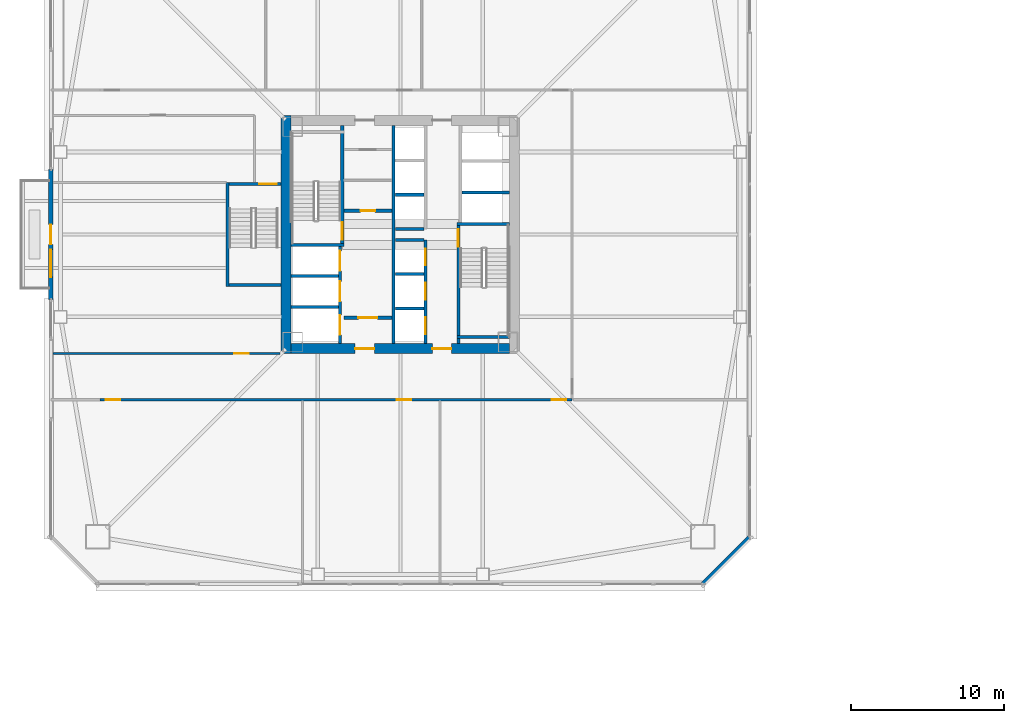
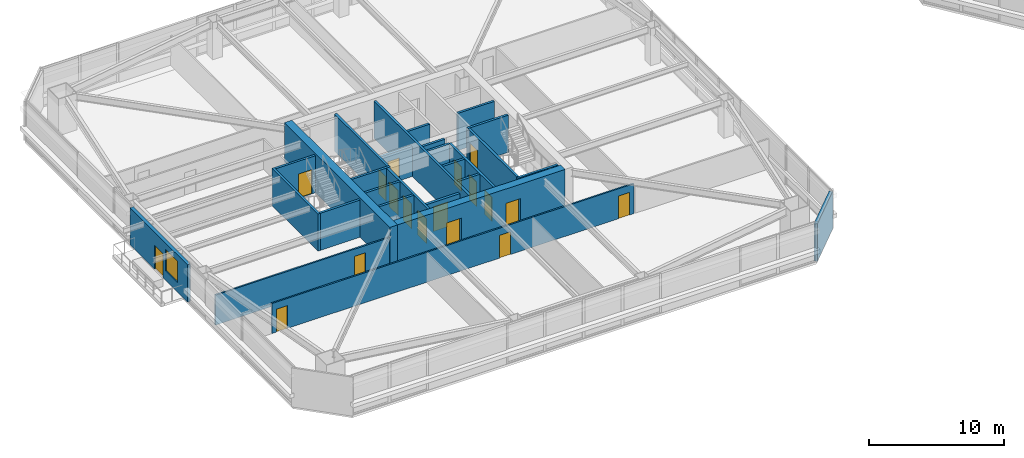
# One storey, part 35 of 47: 27 walls, 18 doors, 1 window, 19 openings.
"""IFC4 building model written with IfcOpenShell, lengths in metres."""

from ifc_helpers import new_model, si_unit, direction, frame, frame_2d, origin, place, context, subcontext, project, spatial, rectangle, extrude, material, layer, layer_set, type_object, element, fill, save


model = new_model("IFC4")

# Units and contexts
model_context = context("Model", 3, precision=1e-05, world=origin(), true_north=direction((0.0, 1.0)))
body_context = subcontext(model_context, "Body", "Model", "MODEL_VIEW")
ifc_project = project(units=[si_unit("LENGTHUNIT", "METRE"), si_unit("AREAUNIT", "SQUARE_METRE"), si_unit("VOLUMEUNIT", "CUBIC_METRE"), si_unit("PLANEANGLEUNIT", "RADIAN"), si_unit("MASSUNIT", "GRAM", prefix="KILO")], contexts=[model_context])

# Site, building, storey
site_placement = place(None, origin())
site = spatial("IfcSite", under=ifc_project, at=site_placement, CompositionType="ELEMENT")
building_placement = place(site_placement, origin())
building = spatial("IfcBuilding", under=site, at=building_placement, Name="Tashvorn Skyway Center", CompositionType="ELEMENT")
storey_placement = place(building_placement, frame((0.0, 0.0, 42.35009765625)))
storey = spatial("IfcBuildingStorey", under=building, at=storey_placement, Name="L10", CompositionType="ELEMENT", Elevation=42.35009765625)

# Wall
ifc_material_1 = material(Name="Concrete C60/75", Category="concrete")
ifc_layer_1 = layer(ifc_material_1, 0.64990234375)
ifc_layer_set_1 = layer_set([ifc_layer_1], Name="Concrete C60/75")
wall_type_1 = type_object("IfcWallType", Name="WALL-CORE-650", PredefinedType="SHEAR", material=ifc_layer_set_1)
wall_1_placement = place(storey_placement, frame((34.52490234375, 24.199951171875, 0.0), z_axis=(0.0, 0.0, 1.0), x_axis=(0.0, 1.0, 0.0)))
element("IfcWall", 1, at=wall_1_placement, inside=storey, type_object=wall_type_1, Name="Tower 1 L10 West Core Shear Wall", PredefinedType="SHEAR", context=body_context, shape_type="SweptSolid", body=[
    extrude(rectangle(XDim=15.60009765625, YDim=0.64990234375, at=frame_2d((7.800048828125, 0.0))), origin(), (0.0, 0.0, 1.0), 3.5498046875),
])

# Wall, openings, doors
wall_2_placement = place(storey_placement, frame((49.14990234375, 24.52490234375, 0.0), z_axis=(0.0, 0.0, 1.0), x_axis=(-1.0, 0.0, 0.0)))
wall_2 = element("IfcWall", 2, at=wall_2_placement, inside=storey, type_object=wall_type_1, Name="Tower 1 L10 South Core Shear Wall", PredefinedType="SHEAR", context=body_context, shape_type="SweptSolid", body=[
    extrude(rectangle(XDim=14.2998046875, YDim=0.64990234375, at=frame_2d((7.14990234375, 0.0))), origin(), (0.0, 0.0, 1.0), 3.5498046875),
])
opening_1_placement = place(wall_2_placement, frame((8.85009765625, 0.0, 0.0)))
opening_1 = element("IfcOpeningElement", 3, at=opening_1_placement, cuts=wall_2, Name="Opening D-FFL-1250", PredefinedType="OPENING", context=body_context, shape_type="SweptSolid", body=[
    extrude(rectangle(XDim=1.25, YDim=2.25, at=frame_2d((0.625, 1.125))), frame((0.0, 0.3349609375, 0.0), z_axis=(0.0, -1.0, 0.0), x_axis=(1.0, 0.0, 0.0)), (0.0, 0.0, 1.0), 0.669921875),
])
opening_2_placement = place(wall_2_placement, frame((3.800048828125, 0.0, 0.0)))
opening_2 = element("IfcOpeningElement", 4, at=opening_2_placement, cuts=wall_2, Name="Opening D-FFL-1250", PredefinedType="OPENING", context=body_context, shape_type="SweptSolid", body=[
    extrude(rectangle(XDim=1.25, YDim=2.25, at=frame_2d((0.625, 1.125))), frame((0.0, 0.3349609375, 0.0), z_axis=(0.0, -1.0, 0.0), x_axis=(1.0, 0.0, 0.0)), (0.0, 0.0, 1.0), 0.669921875),
])
ifc_material_2 = material(Name="Hollow galvanized steel fire door assembly", Category="steel")
door_type_1 = type_object("IfcDoorType", Name="DOOR-FFL-1250", OperationType="NOTDEFINED", PredefinedType="DOOR", material=ifc_material_2)
door_1_placement = place(opening_1_placement, origin())
door_1 = element("IfcDoor", 5, at=door_1_placement, inside=storey, type_object=door_type_1, Name="Tower 1 L10 Core South Firefighting Exit Door", OperationType="SINGLE_SWING_LEFT", OverallHeight=2.25, OverallWidth=1.25, PredefinedType="DOOR", context=body_context, shape_type="SweptSolid", body=[
    extrude(rectangle(XDim=1.25, YDim=2.25, at=frame_2d((0.625, 1.125))), frame((0.0, 0.02490234375, 0.0), z_axis=(0.0, -1.0, 0.0), x_axis=(1.0, 0.0, 0.0)), (0.0, 0.0, 1.0), 0.050048828125),
])
fill(opening_1, door_1)
door_2_placement = place(opening_2_placement, origin())
door_2 = element("IfcDoor", 6, at=door_2_placement, inside=storey, type_object=door_type_1, Name="Tower 1 L10 Core South Lift Lobby Door", OperationType="SINGLE_SWING_RIGHT", OverallHeight=2.25, OverallWidth=1.25, PredefinedType="DOOR", context=body_context, shape_type="SweptSolid", body=[
    extrude(rectangle(XDim=1.25, YDim=2.25, at=frame_2d((0.625, 1.125))), frame((0.0, 0.02490234375, 0.0), z_axis=(0.0, -1.0, 0.0), x_axis=(1.0, 0.0, 0.0)), (0.0, 0.0, 1.0), 0.050048828125),
])
fill(opening_2, door_2)

# Wall, openings, door, window
ifc_material_3 = material(Name="Precast concrete C40/50", Category="concrete")
ifc_layer_2 = layer(ifc_material_3, 0.280029296875)
ifc_layer_set_2 = layer_set([ifc_layer_2], Name="Precast concrete C40/50")
wall_type_2 = type_object("IfcWallType", Name="WALL-EXT-280", PredefinedType="SOLIDWALL", material=ifc_layer_set_2)
wall_3_placement = place(storey_placement, frame((19.1201171875, 27.75, 0.0), z_axis=(0.0, 0.0, 1.0), x_axis=(0.0, 1.0, 0.0)))
wall_3 = element("IfcWall", 7, at=wall_3_placement, inside=storey, type_object=wall_type_2, Name="Tower 1 L10 West Terrace Portal Wall", PredefinedType="SOLIDWALL", context=body_context, shape_type="SweptSolid", body=[
    extrude(rectangle(XDim=8.5, YDim=0.280029296875, at=frame_2d((4.25, 0.0))), origin(), (0.0, 0.0, 1.0), 3.349853515625),
])
opening_3_placement = place(wall_3_placement, frame((3.60009765625, 0.0, 0.0)))
opening_3 = element("IfcOpeningElement", 8, at=opening_3_placement, cuts=wall_3, Name="Opening D-TER-1300", PredefinedType="OPENING", context=body_context, shape_type="SweptSolid", body=[
    extrude(rectangle(XDim=1.300048828125, YDim=2.14990234375, at=frame_2d((0.64990234375, 1.074951171875))), frame((0.0, 0.14990234375, 0.0), z_axis=(0.0, -1.0, 0.0), x_axis=(1.0, 0.0, 0.0)), (0.0, 0.0, 1.0), 0.300048828125),
])
opening_4_placement = place(wall_3_placement, frame((1.4599609375, 0.0, 0.85009765625)))
opening_4 = element("IfcOpeningElement", 9, at=opening_4_placement, cuts=wall_3, Name="Opening WIN-1800", PredefinedType="OPENING", context=body_context, shape_type="SweptSolid", body=[
    extrude(rectangle(XDim=1.800048828125, YDim=1.919921875, at=frame_2d((0.89990234375, 0.9599609375))), frame((0.0, 0.14990234375, 0.0), z_axis=(0.0, -1.0, 0.0), x_axis=(1.0, 0.0, 0.0)), (0.0, 0.0, 1.0), 0.300048828125),
])
ifc_material_4 = material(Name="Thermally broken bronze-anodized aluminium 6063-T6", Category="aluminium")
door_type_2 = type_object("IfcDoorType", Name="DOOR-TERR-1300", OperationType="NOTDEFINED", PredefinedType="DOOR", material=ifc_material_4)
door_3_placement = place(opening_3_placement, origin())
door_3 = element("IfcDoor", 10, at=door_3_placement, inside=storey, type_object=door_type_2, Name="Tower 1 L10 Terrace Access Door", OperationType="SINGLE_SWING_RIGHT", OverallHeight=2.14990234375, OverallWidth=1.300048828125, PredefinedType="DOOR", context=body_context, shape_type="SweptSolid", body=[
    extrude(rectangle(XDim=1.300048828125, YDim=2.14990234375, at=frame_2d((0.64990234375, 1.074951171875))), frame((0.0, 0.02490234375, 0.0), z_axis=(0.0, -1.0, 0.0), x_axis=(1.0, 0.0, 0.0)), (0.0, 0.0, 1.0), 0.050048828125),
])
fill(opening_3, door_3)
ifc_material_5 = material(Name="Low-E solar-control double insulating safety glass", Category="glass")
window_type = type_object("IfcWindowType", Name="WIN-TERR-1800", PartitioningType="SINGLE_PANEL", PredefinedType="WINDOW", material=ifc_material_5)
window_placement = place(opening_4_placement, origin())
window = element("IfcWindow", 11, at=window_placement, inside=storey, type_object=window_type, Name="Tower 1 L10 Terrace Window", OverallHeight=1.919921875, OverallWidth=1.800048828125, PartitioningType="SINGLE_PANEL", PredefinedType="WINDOW", context=body_context, shape_type="SweptSolid", body=[
    extrude(rectangle(XDim=1.800048828125, YDim=1.919921875, at=frame_2d((0.89990234375, 0.9599609375))), frame((0.0, 0.030029296875, 0.0), z_axis=(0.0, -1.0, 0.0), x_axis=(1.0, 0.0, 0.0)), (0.0, 0.0, 1.0), 0.06005859375),
])
fill(opening_4, window)

# Wall
wall_4_placement = place(storey_placement, frame((64.89990234375, 12.199951171875, 0.0), z_axis=(0.0, 0.0, 1.0), x_axis=(-0.707106781187, -0.707106781187, 0.0)))
element("IfcWall", 12, at=wall_4_placement, inside=storey, type_object=wall_type_2, Name="Tower 1 L10 SE Precast Chamfer Wall", PredefinedType="SOLIDWALL", context=body_context, shape_type="SweptSolid", body=[
    extrude(rectangle(XDim=4.3837890625, YDim=0.280029296875, at=frame_2d((2.19189453125, 0.0))), origin(), (0.0, 0.0, 1.0), 3.349853515625),
])

# Wall, opening, door
ifc_material_6 = material(Name="Concrete C40/50", Category="concrete")
ifc_layer_3 = layer(ifc_material_6, 0.219970703125)
ifc_layer_set_3 = layer_set([ifc_layer_3], Name="Concrete C40/50")
wall_type_3 = type_object("IfcWallType", Name="WALL-FFL-220", PredefinedType="SOLIDWALL", material=ifc_layer_set_3)
wall_5_placement = place(storey_placement, frame((38.300048828125, 33.56005859375, 0.0), z_axis=(0.0, 0.0, 1.0), x_axis=(1.0, 0.0, 0.0)))
wall_5 = element("IfcWall", 13, at=wall_5_placement, inside=storey, type_object=wall_type_3, Name="Tower 1 L10 Firefighting Lobby North Wall", PredefinedType="SOLIDWALL", context=body_context, shape_type="SweptSolid", body=[
    extrude(rectangle(XDim=3.14990234375, YDim=0.219970703125, at=frame_2d((1.574951171875, 0.0))), origin(), (0.0, 0.0, 1.0), 2.702880859375),
])
opening_5_placement = place(wall_5_placement, frame((1.10009765625, 0.0, 0.0)))
opening_5 = element("IfcOpeningElement", 14, at=opening_5_placement, cuts=wall_5, Name="Opening D-RT-950", PredefinedType="OPENING", context=body_context, shape_type="SweptSolid", body=[
    extrude(rectangle(XDim=0.949951171875, YDim=2.050048828125, at=frame_2d((0.47509765625, 1.02490234375))), frame((0.0, 0.119873046875, 0.0), z_axis=(0.0, -1.0, 0.0), x_axis=(1.0, 0.0, 0.0)), (0.0, 0.0, 1.0), 0.239990234375),
])
door_type_3 = type_object("IfcDoorType", Name="DOOR-RATED-950", OperationType="NOTDEFINED", PredefinedType="DOOR", material=ifc_material_2)
door_4_placement = place(opening_5_placement, origin())
door_4 = element("IfcDoor", 15, at=door_4_placement, inside=storey, type_object=door_type_3, Name="Tower 1 L10 Core Linen Store Door", OperationType="SINGLE_SWING_LEFT", OverallHeight=2.050048828125, OverallWidth=0.949951171875, PredefinedType="DOOR", context=body_context, shape_type="SweptSolid", body=[
    extrude(rectangle(XDim=0.949951171875, YDim=2.050048828125, at=frame_2d((0.47509765625, 1.02490234375))), frame((0.0, 0.02490234375, 0.0), z_axis=(0.0, -1.0, 0.0), x_axis=(1.0, 0.0, 0.0)), (0.0, 0.0, 1.0), 0.050048828125),
])
fill(opening_5, door_4)

wall_6_placement = place(storey_placement, frame((38.300048828125, 26.5400390625, 0.0), z_axis=(0.0, 0.0, 1.0), x_axis=(1.0, 0.0, 0.0)))
wall_6 = element("IfcWall", 16, at=wall_6_placement, inside=storey, type_object=wall_type_3, Name="Tower 1 L10 Firefighting Lobby South Wall", PredefinedType="SOLIDWALL", context=body_context, shape_type="SweptSolid", body=[
    extrude(rectangle(XDim=3.14990234375, YDim=0.219970703125, at=frame_2d((1.574951171875, 0.0))), origin(), (0.0, 0.0, 1.0), 2.702880859375),
])
opening_6_placement = place(wall_6_placement, frame((0.949951171875, 0.0, 0.0)))
opening_6 = element("IfcOpeningElement", 17, at=opening_6_placement, cuts=wall_6, Name="Opening D-FFL-1250", PredefinedType="OPENING", context=body_context, shape_type="SweptSolid", body=[
    extrude(rectangle(XDim=1.25, YDim=2.25, at=frame_2d((0.625, 1.125))), frame((0.0, 0.119873046875, 0.0), z_axis=(0.0, -1.0, 0.0), x_axis=(1.0, 0.0, 0.0)), (0.0, 0.0, 1.0), 0.239990234375),
])
door_5_placement = place(opening_6_placement, origin())
door_5 = element("IfcDoor", 18, at=door_5_placement, inside=storey, type_object=door_type_1, Name="Tower 1 L10 Firefighting Lobby Egress Door", OperationType="SINGLE_SWING_LEFT", OverallHeight=2.25, OverallWidth=1.25, PredefinedType="DOOR", context=body_context, shape_type="SweptSolid", body=[
    extrude(rectangle(XDim=1.25, YDim=2.25, at=frame_2d((0.625, 1.125))), frame((0.0, 0.02490234375, 0.0), z_axis=(0.0, -1.0, 0.0), x_axis=(1.0, 0.0, 0.0)), (0.0, 0.0, 1.0), 0.050048828125),
])
fill(opening_6, door_5)

# Wall, openings, doors
ifc_material_7 = material(Name="Gypsum board on cold-formed steel stud framing", Category="steel")
ifc_layer_4 = layer(ifc_material_7, 0.135009765625)
ifc_layer_set_4 = layer_set([ifc_layer_4], Name="Gypsum board on cold-formed steel stud framing")
wall_type_4 = type_object("IfcWallType", Name="WALL-PART-135", PredefinedType="PARTITIONING", material=ifc_layer_set_4)
wall_7_placement = place(storey_placement, frame((53.25, 21.179931640625, 0.0), z_axis=(0.0, 0.0, 1.0), x_axis=(-1.0, 0.0, 0.0)))
wall_7 = element("IfcWall", 19, at=wall_7_placement, inside=storey, type_object=wall_type_4, Name="Tower 1 L10 South Suite Wall", PredefinedType="PARTITIONING", context=body_context, shape_type="SweptSolid", body=[
    extrude(rectangle(XDim=30.89990234375, YDim=0.135009765625, at=frame_2d((15.449951171875, 0.0))), origin(), (0.0, 0.0, 1.0), 2.702880859375),
])
opening_7_placement = place(wall_7_placement, frame((29.570068359375, 0.0, 0.0)))
opening_7 = element("IfcOpeningElement", 20, at=opening_7_placement, cuts=wall_7, Name="Opening D-INT-950", PredefinedType="OPENING", context=body_context, shape_type="SweptSolid", body=[
    extrude(rectangle(XDim=0.949951171875, YDim=2.050048828125, at=frame_2d((0.47509765625, 1.02490234375))), frame((0.0, 0.077392578125, 0.0), z_axis=(0.0, -1.0, 0.0), x_axis=(1.0, 0.0, 0.0)), (0.0, 0.0, 1.0), 0.155029296875),
])
opening_8_placement = place(wall_7_placement, frame((10.538330078125, 0.0, 0.0)))
opening_8 = element("IfcOpeningElement", 21, at=opening_8_placement, cuts=wall_7, Name="Opening D-INT-950", PredefinedType="OPENING", context=body_context, shape_type="SweptSolid", body=[
    extrude(rectangle(XDim=0.949951171875, YDim=2.050048828125, at=frame_2d((0.47509765625, 1.02490234375))), frame((0.0, 0.077392578125, 0.0), z_axis=(0.0, -1.0, 0.0), x_axis=(1.0, 0.0, 0.0)), (0.0, 0.0, 1.0), 0.155029296875),
])
opening_9_placement = place(wall_7_placement, frame((0.3798828125, 0.0, 0.0)))
opening_9 = element("IfcOpeningElement", 22, at=opening_9_placement, cuts=wall_7, Name="Opening D-INT-950", PredefinedType="OPENING", context=body_context, shape_type="SweptSolid", body=[
    extrude(rectangle(XDim=0.949951171875, YDim=2.050048828125, at=frame_2d((0.47509765625, 1.02490234375))), frame((0.0, 0.077392578125, 0.0), z_axis=(0.0, -1.0, 0.0), x_axis=(1.0, 0.0, 0.0)), (0.0, 0.0, 1.0), 0.155029296875),
])
ifc_material_8 = material(Name="Solid-core architectural oak veneer door")
door_type_4 = type_object("IfcDoorType", Name="DOOR-INT-950", OperationType="NOTDEFINED", PredefinedType="DOOR", material=ifc_material_8)
door_6_placement = place(opening_7_placement, origin())
door_6 = element("IfcDoor", 23, at=door_6_placement, inside=storey, type_object=door_type_4, Name="Tower 1 L10 Executive Suite Door", OperationType="SINGLE_SWING_RIGHT", OverallHeight=2.050048828125, OverallWidth=0.949951171875, PredefinedType="DOOR", context=body_context, shape_type="SweptSolid", body=[
    extrude(rectangle(XDim=0.949951171875, YDim=2.050048828125, at=frame_2d((0.47509765625, 1.02490234375))), frame((0.0, 0.02490234375, 0.0), z_axis=(0.0, -1.0, 0.0), x_axis=(1.0, 0.0, 0.0)), (0.0, 0.0, 1.0), 0.050048828125),
])
fill(opening_7, door_6)
door_7_placement = place(opening_8_placement, origin())
door_7 = element("IfcDoor", 24, at=door_7_placement, inside=storey, type_object=door_type_4, Name="Tower 1 L10 Corporate Office Door", OperationType="SINGLE_SWING_LEFT", OverallHeight=2.050048828125, OverallWidth=0.949951171875, PredefinedType="DOOR", context=body_context, shape_type="SweptSolid", body=[
    extrude(rectangle(XDim=0.949951171875, YDim=2.050048828125, at=frame_2d((0.47509765625, 1.02490234375))), frame((0.0, 0.02490234375, 0.0), z_axis=(0.0, -1.0, 0.0), x_axis=(1.0, 0.0, 0.0)), (0.0, 0.0, 1.0), 0.050048828125),
])
fill(opening_8, door_7)
door_8_placement = place(opening_9_placement, origin())
door_8 = element("IfcDoor", 25, at=door_8_placement, inside=storey, type_object=door_type_4, Name="Tower 1 L10 Corporate Office Door", OperationType="SINGLE_SWING_RIGHT", OverallHeight=2.050048828125, OverallWidth=0.949951171875, PredefinedType="DOOR", context=body_context, shape_type="SweptSolid", body=[
    extrude(rectangle(XDim=0.949951171875, YDim=2.050048828125, at=frame_2d((0.47509765625, 1.02490234375))), frame((0.0, 0.02490234375, 0.0), z_axis=(0.0, -1.0, 0.0), x_axis=(1.0, 0.0, 0.0)), (0.0, 0.0, 1.0), 0.050048828125),
])
fill(opening_9, door_8)

# Wall, opening, door
wall_8_placement = place(storey_placement, frame((19.27001953125, 24.199951171875, 0.0), z_axis=(0.0, 0.0, 1.0), x_axis=(1.0, 0.0, 0.0)))
wall_8 = element("IfcWall", 26, at=wall_8_placement, inside=storey, type_object=wall_type_4, Name="Tower 1 L10 West Suite South Wall", PredefinedType="PARTITIONING", context=body_context, shape_type="SweptSolid", body=[
    extrude(rectangle(XDim=14.85009765625, YDim=0.135009765625, at=frame_2d((7.425048828125, 0.0))), origin(), (0.0, 0.0, 1.0), 2.702880859375),
])
opening_10_placement = place(wall_8_placement, frame((11.85498046875, 0.0, 0.0)))
opening_10 = element("IfcOpeningElement", 27, at=opening_10_placement, cuts=wall_8, Name="Opening D-INT-950", PredefinedType="OPENING", context=body_context, shape_type="SweptSolid", body=[
    extrude(rectangle(XDim=0.949951171875, YDim=2.050048828125, at=frame_2d((0.47509765625, 1.02490234375))), frame((0.0, 0.077392578125, 0.0), z_axis=(0.0, -1.0, 0.0), x_axis=(1.0, 0.0, 0.0)), (0.0, 0.0, 1.0), 0.155029296875),
])
door_9_placement = place(opening_10_placement, origin())
door_9 = element("IfcDoor", 28, at=door_9_placement, inside=storey, type_object=door_type_4, Name="Tower 1 L10 Public Restroom Door", OperationType="SINGLE_SWING_LEFT", OverallHeight=2.050048828125, OverallWidth=0.949951171875, PredefinedType="DOOR", context=body_context, shape_type="SweptSolid", body=[
    extrude(rectangle(XDim=0.949951171875, YDim=2.050048828125, at=frame_2d((0.47509765625, 1.02490234375))), frame((0.0, 0.02490234375, 0.0), z_axis=(0.0, -1.0, 0.0), x_axis=(1.0, 0.0, 0.0)), (0.0, 0.0, 1.0), 0.050048828125),
])
fill(opening_10, door_9)

# Walls
ifc_layer_5 = layer(ifc_material_6, 0.199951171875)
ifc_layer_set_5 = layer_set([ifc_layer_5], Name="Concrete C40/50")
wall_type_5 = type_object("IfcWallType", Name="WALL-SHAFT-200", PredefinedType="SOLIDWALL", material=ifc_layer_set_5)
for number, where, z_axis, x_axis, name in (
    (29, (34.85009765625, 27.25, 0.0), (0.0, 0.0, 1.0), (1.0, 0.0, 0.0), "Tower 1 L10 FSAE Shaft Divider"),
    (30, (34.85009765625, 29.280029296875, 0.0), (0.0, 0.0, 1.0), (1.0, 0.0, 0.0), "Tower 1 L10 FSAE Shaft Divider"),
    (31, (46.050048828125, 34.75, 0.0), (0.0, 0.0, 1.0), (1.0, 0.0, 0.0), "Tower 1 L10 High-Rise Shaft Divider"),
):
    element("IfcWall", number, at=place(storey_placement, frame(where, z_axis=z_axis, x_axis=x_axis)), inside=storey, type_object=wall_type_5, Name=name, PredefinedType="SOLIDWALL", context=body_context, shape_type="SweptSolid", body=[
        extrude(rectangle(XDim=3.099853515625, YDim=0.199951171875, at=frame_2d((1.5498046875, 0.0))), origin(), (0.0, 0.0, 1.0), 3.349853515625),
    ])

# Wall, openings, doors
wall_9_placement = place(storey_placement, frame((43.64990234375, 24.85009765625, 0.0), z_axis=(0.0, 0.0, 1.0), x_axis=(0.0, 1.0, 0.0)))
wall_9 = element("IfcWall", 32, at=wall_9_placement, inside=storey, type_object=wall_type_5, Name="Tower 1 L10 Low-Rise Core Wall", PredefinedType="SOLIDWALL", context=body_context, shape_type="SweptSolid", body=[
    extrude(rectangle(XDim=6.7998046875, YDim=0.199951171875, at=frame_2d((3.39990234375, 0.0))), origin(), (0.0, 0.0, 1.0), 3.349853515625),
])
opening_11_placement = place(wall_9_placement, frame((0.625, 0.0, 0.0)))
opening_11 = element("IfcOpeningElement", 33, at=opening_11_placement, cuts=wall_9, Name="Opening LD-LR-T1-1-L10", PredefinedType="OPENING", context=body_context, shape_type="SweptSolid", body=[
    extrude(rectangle(XDim=1.10009765625, YDim=2.199951171875, at=frame_2d((0.550048828125, 1.10009765625))), frame((0.0, 0.10986328125, 0.0), z_axis=(0.0, -1.0, 0.0), x_axis=(1.0, 0.0, 0.0)), (0.0, 0.0, 1.0), 0.219970703125),
])
opening_12_placement = place(wall_9_placement, frame((2.875, 0.0, 0.0)))
opening_12 = element("IfcOpeningElement", 34, at=opening_12_placement, cuts=wall_9, Name="Opening LD-LR-T1-2-L10", PredefinedType="OPENING", context=body_context, shape_type="SweptSolid", body=[
    extrude(rectangle(XDim=1.10009765625, YDim=2.199951171875, at=frame_2d((0.550048828125, 1.10009765625))), frame((0.0, 0.10986328125, 0.0), z_axis=(0.0, -1.0, 0.0), x_axis=(1.0, 0.0, 0.0)), (0.0, 0.0, 1.0), 0.219970703125),
])
opening_13_placement = place(wall_9_placement, frame((5.125, 0.0, 0.0)))
opening_13 = element("IfcOpeningElement", 35, at=opening_13_placement, cuts=wall_9, Name="Opening LD-LR-T1-3-L10", PredefinedType="OPENING", context=body_context, shape_type="SweptSolid", body=[
    extrude(rectangle(XDim=1.10009765625, YDim=2.199951171875, at=frame_2d((0.550048828125, 1.10009765625))), frame((0.0, 0.10986328125, 0.0), z_axis=(0.0, -1.0, 0.0), x_axis=(1.0, 0.0, 0.0)), (0.0, 0.0, 1.0), 0.219970703125),
])
ifc_material_9 = material(Name="Stainless steel landing door", Category="steel")
door_type_5 = type_object("IfcDoorType", Name="DOOR-LIFT-1100", OperationType="SLIDING_TO_LEFT", PredefinedType="DOOR", material=ifc_material_9)
door_10_placement = place(opening_11_placement, origin())
door_10 = element("IfcDoor", 36, at=door_10_placement, inside=storey, type_object=door_type_5, Name="Lift LR-T1-1 L10 Landing Door", OperationType="SLIDING_TO_LEFT", OverallHeight=2.199951171875, OverallWidth=1.10009765625, PredefinedType="DOOR", context=body_context, shape_type="SweptSolid", body=[
    extrude(rectangle(XDim=1.10009765625, YDim=2.199951171875, at=frame_2d((0.550048828125, 1.10009765625))), frame((0.0, 0.02490234375, 0.0), z_axis=(0.0, -1.0, 0.0), x_axis=(1.0, 0.0, 0.0)), (0.0, 0.0, 1.0), 0.050048828125),
])
fill(opening_11, door_10)
door_11_placement = place(opening_12_placement, origin())
door_11 = element("IfcDoor", 37, at=door_11_placement, inside=storey, type_object=door_type_5, Name="Lift LR-T1-2 L10 Landing Door", OperationType="SLIDING_TO_LEFT", OverallHeight=2.199951171875, OverallWidth=1.10009765625, PredefinedType="DOOR", context=body_context, shape_type="SweptSolid", body=[
    extrude(rectangle(XDim=1.10009765625, YDim=2.199951171875, at=frame_2d((0.550048828125, 1.10009765625))), frame((0.0, 0.02490234375, 0.0), z_axis=(0.0, -1.0, 0.0), x_axis=(1.0, 0.0, 0.0)), (0.0, 0.0, 1.0), 0.050048828125),
])
fill(opening_12, door_11)
door_12_placement = place(opening_13_placement, origin())
door_12 = element("IfcDoor", 38, at=door_12_placement, inside=storey, type_object=door_type_5, Name="Lift LR-T1-3 L10 Landing Door", OperationType="SLIDING_TO_LEFT", OverallHeight=2.199951171875, OverallWidth=1.10009765625, PredefinedType="DOOR", context=body_context, shape_type="SweptSolid", body=[
    extrude(rectangle(XDim=1.10009765625, YDim=2.199951171875, at=frame_2d((0.550048828125, 1.10009765625))), frame((0.0, 0.02490234375, 0.0), z_axis=(0.0, -1.0, 0.0), x_axis=(1.0, 0.0, 0.0)), (0.0, 0.0, 1.0), 0.050048828125),
])
fill(opening_13, door_12)

# Walls
for number, where, z_axis, x_axis, name in (
    (39, (41.669921875, 27.14990234375, 0.0), (0.0, 0.0, 1.0), (1.0, 0.0, 0.0), "Tower 1 L10 Low-Rise Shaft Divider"),
    (40, (41.669921875, 29.39990234375, 0.0), (0.0, 0.0, 1.0), (1.0, 0.0, 0.0), "Tower 1 L10 Low-Rise Shaft Divider"),
    (41, (41.669921875, 31.64990234375, 0.0), (0.0, 0.0, 1.0), (1.0, 0.0, 0.0), "Tower 1 L10 Low-Rise Shaft Divider"),
    (42, (41.669921875, 32.35009765625, 0.0), (0.0, 0.0, 1.0), (1.0, 0.0, 0.0), "Tower 1 L10 Mid-Rise Shaft Divider"),
    (43, (41.669921875, 34.60009765625, 0.0), (0.0, 0.0, 1.0), (1.0, 0.0, 0.0), "Tower 1 L10 Mid-Rise Shaft Divider"),
):
    element("IfcWall", number, at=place(storey_placement, frame(where, z_axis=z_axis, x_axis=x_axis)), inside=storey, type_object=wall_type_5, Name=name, PredefinedType="SOLIDWALL", context=body_context, shape_type="SweptSolid", body=[
        extrude(rectangle(XDim=1.880126953125, YDim=0.199951171875, at=frame_2d((0.93994140625, 0.0))), origin(), (0.0, 0.0, 1.0), 3.349853515625),
    ])

# Wall, opening, door
ifc_layer_6 = layer(ifc_material_6, 0.199951171875)
ifc_layer_set_6 = layer_set([ifc_layer_6], Name="Concrete C40/50")
wall_type_6 = type_object("IfcWallType", Name="WALL-STSHF-200", PredefinedType="SHEAR", material=ifc_layer_set_6)
wall_10_placement = place(storey_placement, frame((38.199951171875, 31.199951171875, 0.0), z_axis=(0.0, 0.0, 1.0), x_axis=(0.0, 1.0, 0.0)))
wall_10 = element("IfcWall", 44, at=wall_10_placement, inside=storey, type_object=wall_type_6, Name="Tower 1 L10 Stair 1 Enclosure Wall", PredefinedType="SHEAR", context=body_context, shape_type="SweptSolid", body=[
    extrude(rectangle(XDim=7.949951171875, YDim=0.199951171875, at=frame_2d((3.97509765625, 0.0))), origin(), (0.0, 0.0, 1.0), 3.349853515625),
])
opening_14_placement = place(wall_10_placement, frame((0.449951171875, 0.0, 0.0)))
opening_14 = element("IfcOpeningElement", 45, at=opening_14_placement, cuts=wall_10, Name="Opening D-ST-1150", PredefinedType="OPENING", context=body_context, shape_type="SweptSolid", body=[
    extrude(rectangle(XDim=1.14990234375, YDim=2.199951171875, at=frame_2d((0.574951171875, 1.10009765625))), frame((0.0, 0.10986328125, 0.0), z_axis=(0.0, -1.0, 0.0), x_axis=(1.0, 0.0, 0.0)), (0.0, 0.0, 1.0), 0.219970703125),
])
door_type_6 = type_object("IfcDoorType", Name="DOOR-STAIR-1150", OperationType="NOTDEFINED", PredefinedType="DOOR", material=ifc_material_2)
door_13_placement = place(opening_14_placement, origin())
door_13 = element("IfcDoor", 46, at=door_13_placement, inside=storey, type_object=door_type_6, Name="Tower 1 L10 Exit Stair 1 Door", OperationType="SINGLE_SWING_RIGHT", OverallHeight=2.199951171875, OverallWidth=1.14990234375, PredefinedType="DOOR", context=body_context, shape_type="SweptSolid", body=[
    extrude(rectangle(XDim=1.14990234375, YDim=2.199951171875, at=frame_2d((0.574951171875, 1.10009765625))), frame((0.0, 0.02490234375, 0.0), z_axis=(0.0, -1.0, 0.0), x_axis=(1.0, 0.0, 0.0)), (0.0, 0.0, 1.0), 0.050048828125),
])
fill(opening_14, door_13)

# Wall
wall_11_placement = place(storey_placement, frame((34.85009765625, 31.300048828125, 0.0), z_axis=(0.0, 0.0, 1.0), x_axis=(1.0, 0.0, 0.0)))
element("IfcWall", 47, at=wall_11_placement, inside=storey, type_object=wall_type_6, Name="Tower 1 L10 Stair 1 South Wall", PredefinedType="SHEAR", context=body_context, shape_type="SweptSolid", body=[
    extrude(rectangle(XDim=3.449951171875, YDim=0.199951171875, at=frame_2d((1.72509765625, 0.0))), origin(), (0.0, 0.0, 1.0), 3.349853515625),
])

# Wall, opening, door
wall_12_placement = place(storey_placement, frame((45.800048828125, 32.800048828125, 0.0), z_axis=(0.0, 0.0, 1.0), x_axis=(0.0, -1.0, 0.0)))
wall_12 = element("IfcWall", 48, at=wall_12_placement, inside=storey, type_object=wall_type_6, Name="Tower 1 L10 Stair 2 Enclosure Wall", PredefinedType="SHEAR", context=body_context, shape_type="SweptSolid", body=[
    extrude(rectangle(XDim=7.949951171875, YDim=0.199951171875, at=frame_2d((3.97509765625, 0.0))), origin(), (0.0, 0.0, 1.0), 3.349853515625),
])
opening_15_placement = place(wall_12_placement, frame((0.449951171875, 0.0, 0.0)))
opening_15 = element("IfcOpeningElement", 49, at=opening_15_placement, cuts=wall_12, Name="Opening D-ST-1150", PredefinedType="OPENING", context=body_context, shape_type="SweptSolid", body=[
    extrude(rectangle(XDim=1.14990234375, YDim=2.199951171875, at=frame_2d((0.574951171875, 1.10009765625))), frame((0.0, 0.10986328125, 0.0), z_axis=(0.0, -1.0, 0.0), x_axis=(1.0, 0.0, 0.0)), (0.0, 0.0, 1.0), 0.219970703125),
])
door_14_placement = place(opening_15_placement, origin())
door_14 = element("IfcDoor", 50, at=door_14_placement, inside=storey, type_object=door_type_6, Name="Tower 1 L10 Exit Stair 2 Door", OperationType="SINGLE_SWING_RIGHT", OverallHeight=2.199951171875, OverallWidth=1.14990234375, PredefinedType="DOOR", context=body_context, shape_type="SweptSolid", body=[
    extrude(rectangle(XDim=1.14990234375, YDim=2.199951171875, at=frame_2d((0.574951171875, 1.10009765625))), frame((0.0, 0.02490234375, 0.0), z_axis=(0.0, -1.0, 0.0), x_axis=(1.0, 0.0, 0.0)), (0.0, 0.0, 1.0), 0.050048828125),
])
fill(opening_15, door_14)

# Walls
for number, where, z_axis, x_axis, name in (
    (51, (45.699951171875, 32.699951171875, 0.0), (0.0, 0.0, 1.0), (1.0, 0.0, 0.0), "Tower 1 L10 Stair 2 North Wall"),
    (52, (45.699951171875, 25.300048828125, 0.0), (0.0, 0.0, 1.0), (1.0, 0.0, 0.0), "Tower 1 L10 Stair 2 South Wall"),
):
    element("IfcWall", number, at=place(storey_placement, frame(where, z_axis=z_axis, x_axis=x_axis)), inside=storey, type_object=wall_type_6, Name=name, PredefinedType="SHEAR", context=body_context, shape_type="SweptSolid", body=[
        extrude(rectangle(XDim=3.449951171875, YDim=0.199951171875, at=frame_2d((1.72509765625, 0.0))), origin(), (0.0, 0.0, 1.0), 3.349853515625),
    ])
wall_13_placement = place(storey_placement, frame((41.56005859375, 24.85009765625, 0.0), z_axis=(0.0, 0.0, 1.0), x_axis=(0.0, 1.0, 0.0)))
element("IfcWall", 53, at=wall_13_placement, inside=storey, type_object=wall_type_6, Name="Tower 1 L10 Firefighting Lobby East Smoke Barrier", PredefinedType="SHEAR", context=body_context, shape_type="SweptSolid", body=[
    extrude(rectangle(XDim=14.2998046875, YDim=0.199951171875, at=frame_2d((7.14990234375, 0.0))), origin(), (0.0, 0.0, 1.0), 3.349853515625),
])

# Wall, openings, doors
wall_14_placement = place(storey_placement, frame((38.050048828125, 24.85009765625, 0.0), z_axis=(0.0, 0.0, 1.0), x_axis=(0.0, 1.0, 0.0)))
wall_14 = element("IfcWall", 54, at=wall_14_placement, inside=storey, type_object=wall_type_6, Name="Tower 1 L10 FSAE and Goods Shaft Front Wall", PredefinedType="SHEAR", context=body_context, shape_type="SweptSolid", body=[
    extrude(rectangle(XDim=6.349853515625, YDim=0.199951171875, at=frame_2d((3.1748046875, 0.0))), origin(), (0.0, 0.0, 1.0), 3.349853515625),
])
opening_16_placement = place(wall_14_placement, frame((4.77490234375, 0.0, 0.0)))
opening_16 = element("IfcOpeningElement", 55, at=opening_16_placement, cuts=wall_14, Name="Opening LD-FF-T1-1-L10", PredefinedType="OPENING", context=body_context, shape_type="SweptSolid", body=[
    extrude(rectangle(XDim=1.300048828125, YDim=2.25, at=frame_2d((0.64990234375, 1.125))), frame((0.0, 0.10986328125, 0.0), z_axis=(0.0, -1.0, 0.0), x_axis=(1.0, 0.0, 0.0)), (0.0, 0.0, 1.0), 0.219970703125),
])
opening_17_placement = place(wall_14_placement, frame((2.77490234375, 0.0, 0.0)))
opening_17 = element("IfcOpeningElement", 56, at=opening_17_placement, cuts=wall_14, Name="Opening LD-FF-T1-2-L10", PredefinedType="OPENING", context=body_context, shape_type="SweptSolid", body=[
    extrude(rectangle(XDim=1.300048828125, YDim=2.25, at=frame_2d((0.64990234375, 1.125))), frame((0.0, 0.10986328125, 0.0), z_axis=(0.0, -1.0, 0.0), x_axis=(1.0, 0.0, 0.0)), (0.0, 0.0, 1.0), 0.219970703125),
])
opening_18_placement = place(wall_14_placement, frame((0.574951171875, 0.0, 0.0)))
opening_18 = element("IfcOpeningElement", 57, at=opening_18_placement, cuts=wall_14, Name="Opening LD-GD-T1-1-L10", PredefinedType="OPENING", context=body_context, shape_type="SweptSolid", body=[
    extrude(rectangle(XDim=1.300048828125, YDim=2.25, at=frame_2d((0.64990234375, 1.125))), frame((0.0, 0.10986328125, 0.0), z_axis=(0.0, -1.0, 0.0), x_axis=(1.0, 0.0, 0.0)), (0.0, 0.0, 1.0), 0.219970703125),
])
ifc_material_10 = material(Name="Stainless steel heavy-duty landing door", Category="steel")
door_type_7 = type_object("IfcDoorType", Name="DOOR-LIFT-1300", OperationType="SLIDING_TO_LEFT", PredefinedType="DOOR", material=ifc_material_10)
door_15_placement = place(opening_16_placement, origin())
door_15 = element("IfcDoor", 58, at=door_15_placement, inside=storey, type_object=door_type_7, Name="Lift FF-T1-1 L10 Landing Door", OperationType="SLIDING_TO_LEFT", OverallHeight=2.25, OverallWidth=1.300048828125, PredefinedType="DOOR", context=body_context, shape_type="SweptSolid", body=[
    extrude(rectangle(XDim=1.300048828125, YDim=2.25, at=frame_2d((0.64990234375, 1.125))), frame((0.0, 0.02490234375, 0.0), z_axis=(0.0, -1.0, 0.0), x_axis=(1.0, 0.0, 0.0)), (0.0, 0.0, 1.0), 0.050048828125),
])
fill(opening_16, door_15)
door_16_placement = place(opening_17_placement, origin())
door_16 = element("IfcDoor", 59, at=door_16_placement, inside=storey, type_object=door_type_7, Name="Lift FF-T1-2 L10 Landing Door", OperationType="SLIDING_TO_LEFT", OverallHeight=2.25, OverallWidth=1.300048828125, PredefinedType="DOOR", context=body_context, shape_type="SweptSolid", body=[
    extrude(rectangle(XDim=1.300048828125, YDim=2.25, at=frame_2d((0.64990234375, 1.125))), frame((0.0, 0.02490234375, 0.0), z_axis=(0.0, -1.0, 0.0), x_axis=(1.0, 0.0, 0.0)), (0.0, 0.0, 1.0), 0.050048828125),
])
fill(opening_17, door_16)
door_17_placement = place(opening_18_placement, origin())
door_17 = element("IfcDoor", 60, at=door_17_placement, inside=storey, type_object=door_type_7, Name="Lift GD-T1-1 L10 Landing Door", OperationType="SLIDING_TO_LEFT", OverallHeight=2.25, OverallWidth=1.300048828125, PredefinedType="DOOR", context=body_context, shape_type="SweptSolid", body=[
    extrude(rectangle(XDim=1.300048828125, YDim=2.25, at=frame_2d((0.64990234375, 1.125))), frame((0.0, 0.02490234375, 0.0), z_axis=(0.0, -1.0, 0.0), x_axis=(1.0, 0.0, 0.0)), (0.0, 0.0, 1.0), 0.050048828125),
])
fill(opening_18, door_17)

# Wall
wall_15_placement = place(storey_placement, frame((30.699951171875, 28.60009765625, 0.0), z_axis=(0.0, 0.0, 1.0), x_axis=(0.0, 1.0, 0.0)))
element("IfcWall", 61, at=wall_15_placement, inside=storey, type_object=wall_type_6, Name="Tower 1 L10 Stair 3 Outer Wall", PredefinedType="SHEAR", context=body_context, shape_type="SweptSolid", body=[
    extrude(rectangle(XDim=6.7998046875, YDim=0.199951171875, at=frame_2d((3.39990234375, 0.0))), origin(), (0.0, 0.0, 1.0), 3.349853515625),
])

# Wall, opening, door
wall_16_placement = place(storey_placement, frame((34.199951171875, 35.300048828125, 0.0), z_axis=(0.0, 0.0, 1.0), x_axis=(-1.0, 0.0, 0.0)))
wall_16 = element("IfcWall", 62, at=wall_16_placement, inside=storey, type_object=wall_type_6, Name="Tower 1 L10 Stair 3 Enclosure Wall", PredefinedType="SHEAR", context=body_context, shape_type="SweptSolid", body=[
    extrude(rectangle(XDim=3.39990234375, YDim=0.199951171875, at=frame_2d((1.699951171875, 0.0))), origin(), (0.0, 0.0, 1.0), 3.349853515625),
])
opening_19_placement = place(wall_16_placement, frame((0.27490234375, 0.0, 0.0)))
opening_19 = element("IfcOpeningElement", 63, at=opening_19_placement, cuts=wall_16, Name="Opening D-ST-1150", PredefinedType="OPENING", context=body_context, shape_type="SweptSolid", body=[
    extrude(rectangle(XDim=1.14990234375, YDim=2.199951171875, at=frame_2d((0.574951171875, 1.10009765625))), frame((0.0, 0.10986328125, 0.0), z_axis=(0.0, -1.0, 0.0), x_axis=(1.0, 0.0, 0.0)), (0.0, 0.0, 1.0), 0.219970703125),
])
door_18_placement = place(opening_19_placement, origin())
door_18 = element("IfcDoor", 64, at=door_18_placement, inside=storey, type_object=door_type_6, Name="Tower 1 L10 Exit Stair 3 Door", OperationType="SINGLE_SWING_RIGHT", OverallHeight=2.199951171875, OverallWidth=1.14990234375, PredefinedType="DOOR", context=body_context, shape_type="SweptSolid", body=[
    extrude(rectangle(XDim=1.14990234375, YDim=2.199951171875, at=frame_2d((0.574951171875, 1.10009765625))), frame((0.0, 0.02490234375, 0.0), z_axis=(0.0, -1.0, 0.0), x_axis=(1.0, 0.0, 0.0)), (0.0, 0.0, 1.0), 0.050048828125),
])
fill(opening_19, door_18)

# Wall
wall_17_placement = place(storey_placement, frame((30.800048828125, 28.699951171875, 0.0), z_axis=(0.0, 0.0, 1.0), x_axis=(1.0, 0.0, 0.0)))
element("IfcWall", 65, at=wall_17_placement, inside=storey, type_object=wall_type_6, Name="Tower 1 L10 Stair 3 South Wall", PredefinedType="SHEAR", context=body_context, shape_type="SweptSolid", body=[
    extrude(rectangle(XDim=3.39990234375, YDim=0.199951171875, at=frame_2d((1.699951171875, 0.0))), origin(), (0.0, 0.0, 1.0), 3.349853515625),
])

save(model, "model.ifc")
